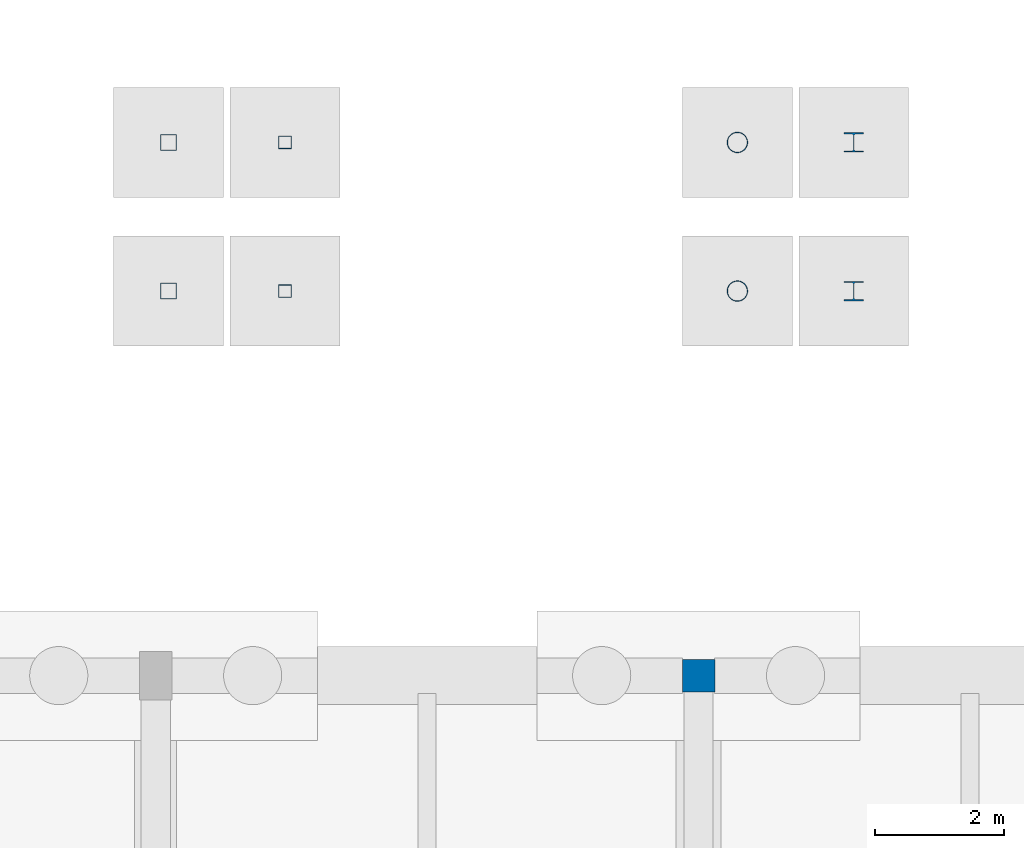
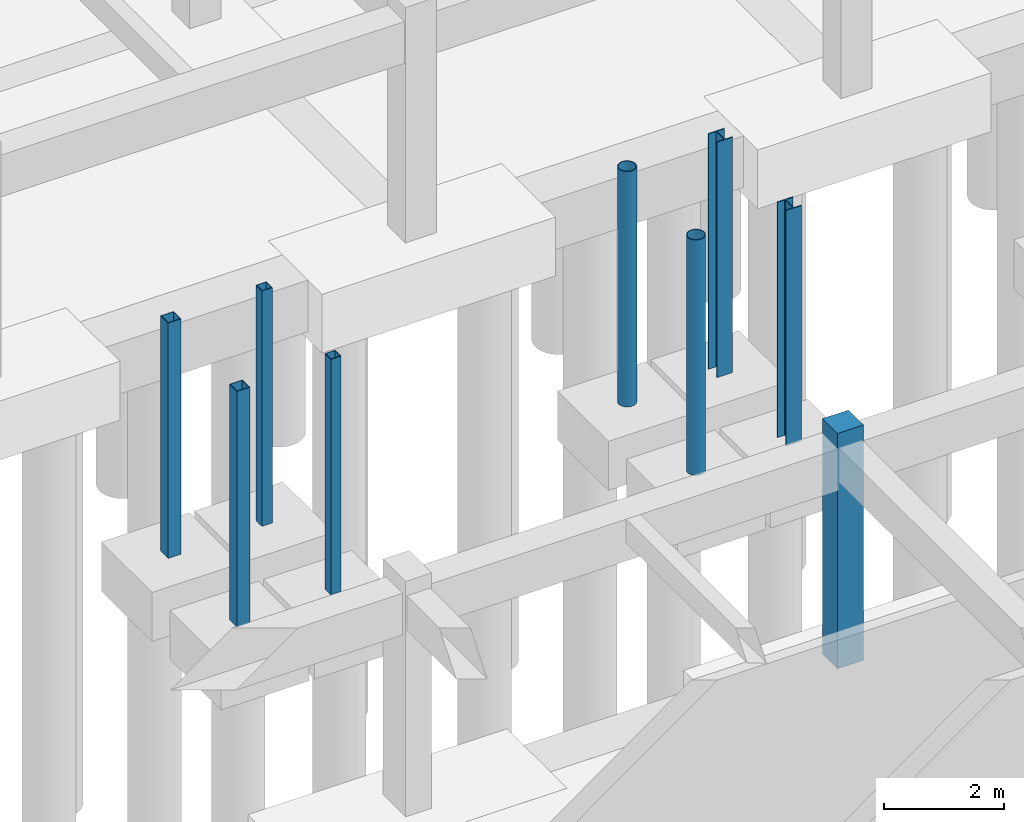
# One storey, part 19 of 80: 9 columns.
"""IFC4 building model written with IfcOpenShell, lengths in metres."""

from ifc_helpers import new_model, si_unit, direction, frame, origin, origin_2d, place, context, subcontext, project, spatial, rectangle, hollow_rectangle, hollow_circle, i_section, extrude, material, material_profile, profile_set, type_object, element, save


model = new_model("IFC4")

# Units and contexts
model_context = context("Model", 3, precision=1e-05, world=origin(), true_north=direction((0.0, 1.0)))
body_context = subcontext(model_context, "Body", "Model", "MODEL_VIEW")
ifc_project = project(units=[si_unit("LENGTHUNIT", "METRE"), si_unit("AREAUNIT", "SQUARE_METRE"), si_unit("VOLUMEUNIT", "CUBIC_METRE"), si_unit("PLANEANGLEUNIT", "RADIAN"), si_unit("MASSUNIT", "GRAM", prefix="KILO")], contexts=[model_context])

# Site, building, storey
site_placement = place(None, origin())
site = spatial("IfcSite", under=ifc_project, at=site_placement, CompositionType="ELEMENT")
building_placement = place(site_placement, origin())
building = spatial("IfcBuilding", under=site, at=building_placement, Name="Malvenik Polytechnic", CompositionType="ELEMENT")
storey_placement = place(building_placement, frame((0.0, 0.0, -4.800048828125)))
storey = spatial("IfcBuildingStorey", under=building, at=storey_placement, Name="B1", CompositionType="ELEMENT", Elevation=-4.800048828125)

# Columns
ifc_material_1 = material(Name="Concrete C35/45", Category="concrete")
ifc_material_profile_1 = material_profile(ifc_material_1, rectangle(XDim=0.5, YDim=0.5, at=origin_2d()), Name="RC COL 500x500")
ifc_profile_set_1 = profile_set([ifc_material_profile_1], Name="Concrete C35/45")
column_type_1 = type_object("IfcColumnType", Name="STR-COL-C-08", PredefinedType="COLUMN", material=ifc_profile_set_1)
column_placement = place(storey_placement, frame((58.800048828125, 36.0, 0.0), z_axis=(0.0, 0.0, 1.0), x_axis=(1.0, 0.0, 0.0)))
element("IfcColumn", 1, at=column_placement, inside=storey, type_object=column_type_1, Name="Column C-08 B1 (58.8,36.0)", PredefinedType="COLUMN", context=body_context, shape_type="SweptSolid", body=[
    extrude(rectangle(XDim=0.5, YDim=0.5, at=origin_2d()), origin(), (0.0, 0.0, 1.0), 4.800048828125),
])
ifc_material_2 = material(Name="Steel S355J2H", Category="steel")
ifc_material_profile_2 = material_profile(ifc_material_2, hollow_rectangle(XDim=0.25, YDim=0.25, WallThickness=0.010009765625, at=origin_2d()), Name="SHS 250x250x10.0")
ifc_profile_set_2 = profile_set([ifc_material_profile_2], Name="Steel S355J2H")
column_type_2 = type_object("IfcColumnType", Name="STR-SCOL-SC-01", PredefinedType="COLUMN", material=ifc_profile_set_2)
for number, where, z_axis, x_axis, name in (
    (2, (50.60009765625, 41.949951171875, 0.0), (0.0, 0.0, 1.0), (1.0, 0.0, 0.0), "Bridge-Ramp Support Column SC-01 B1"),
    (3, (50.60009765625, 44.25, 0.0), (0.0, 0.0, 1.0), (1.0, 0.0, 0.0), "Bridge-Ramp Support Column SC-01 B1"),
):
    element("IfcColumn", number, at=place(storey_placement, frame(where, z_axis=z_axis, x_axis=x_axis)), inside=storey, type_object=column_type_2, Name=name, PredefinedType="COLUMN", context=body_context, shape_type="SweptSolid", body=[
        extrude(hollow_rectangle(XDim=0.25, YDim=0.25, WallThickness=0.010009765625, at=origin_2d()), origin(), (0.0, 0.0, 1.0), 4.800048828125),
    ])
ifc_material_profile_3 = material_profile(ifc_material_2, hollow_rectangle(XDim=0.199951171875, YDim=0.199951171875, WallThickness=0.010009765625, at=origin_2d()), Name="SHS 200x200x10.0")
ifc_profile_set_3 = profile_set([ifc_material_profile_3], Name="Steel S355J2H")
column_type_3 = type_object("IfcColumnType", Name="STR-SCOL-SC-02", PredefinedType="COLUMN", material=ifc_profile_set_3)
for number, where, z_axis, x_axis, name in (
    (4, (52.39990234375, 41.949951171875, 0.0), (0.0, 0.0, 1.0), (1.0, 0.0, 0.0), "Bridge-Ramp Support Column SC-02 B1"),
    (5, (52.39990234375, 44.25, 0.0), (0.0, 0.0, 1.0), (1.0, 0.0, 0.0), "Bridge-Ramp Support Column SC-02 B1"),
):
    element("IfcColumn", number, at=place(storey_placement, frame(where, z_axis=z_axis, x_axis=x_axis)), inside=storey, type_object=column_type_3, Name=name, PredefinedType="COLUMN", context=body_context, shape_type="SweptSolid", body=[
        extrude(hollow_rectangle(XDim=0.199951171875, YDim=0.199951171875, WallThickness=0.010009765625, at=origin_2d()), origin(), (0.0, 0.0, 1.0), 4.800048828125),
    ])
ifc_material_profile_4 = material_profile(ifc_material_2, hollow_circle(Radius=0.161865234375, WallThickness=0.012451171875, at=origin_2d()), Name="CHS 323.9x12.5")
ifc_profile_set_4 = profile_set([ifc_material_profile_4], Name="Steel S355J2H")
column_type_4 = type_object("IfcColumnType", Name="STR-SCOL-SC-04", PredefinedType="COLUMN", material=ifc_profile_set_4)
for number, where, z_axis, x_axis, name in (
    (6, (59.39990234375, 41.949951171875, 0.0), (0.0, 0.0, 1.0), (1.0, 0.0, 0.0), "Bridge-Ramp Support Column SC-04 B1"),
    (7, (59.39990234375, 44.25, 0.0), (0.0, 0.0, 1.0), (1.0, 0.0, 0.0), "Bridge-Ramp Support Column SC-04 B1"),
):
    element("IfcColumn", number, at=place(storey_placement, frame(where, z_axis=z_axis, x_axis=x_axis)), inside=storey, type_object=column_type_4, Name=name, PredefinedType="COLUMN", context=body_context, shape_type="SweptSolid", body=[
        extrude(hollow_circle(Radius=0.161865234375, WallThickness=0.012451171875, at=origin_2d()), origin(), (0.0, 0.0, 1.0), 4.800048828125),
    ])
ifc_material_3 = material(Name="Steel S355", Category="steel")
ifc_material_profile_5 = material_profile(ifc_material_3, i_section(OverallWidth=0.300048828125, OverallDepth=0.300048828125, WebThickness=0.010986328125, FlangeThickness=0.01904296875, FilletRadius=0.027099609375, at=origin_2d()), Name="HEB 300")
ifc_profile_set_5 = profile_set([ifc_material_profile_5], Name="Steel S355")
column_type_5 = type_object("IfcColumnType", Name="STR-SCOL-SC-05", PredefinedType="COLUMN", material=ifc_profile_set_5)
for number, where, z_axis, x_axis, name in (
    (8, (61.199951171875, 41.949951171875, 0.0), (0.0, 0.0, 1.0), (1.0, 0.0, 0.0), "Bridge-Ramp Support Column SC-05 B1"),
    (9, (61.199951171875, 44.25, 0.0), (0.0, 0.0, 1.0), (1.0, 0.0, 0.0), "Bridge-Ramp Support Column SC-05 B1"),
):
    element("IfcColumn", number, at=place(storey_placement, frame(where, z_axis=z_axis, x_axis=x_axis)), inside=storey, type_object=column_type_5, Name=name, PredefinedType="COLUMN", context=body_context, shape_type="SweptSolid", body=[
        extrude(i_section(OverallWidth=0.300048828125, OverallDepth=0.300048828125, WebThickness=0.010986328125, FlangeThickness=0.01904296875, FilletRadius=0.027099609375, at=origin_2d()), origin(), (0.0, 0.0, 1.0), 4.800048828125),
    ])

save(model, "model.ifc")
